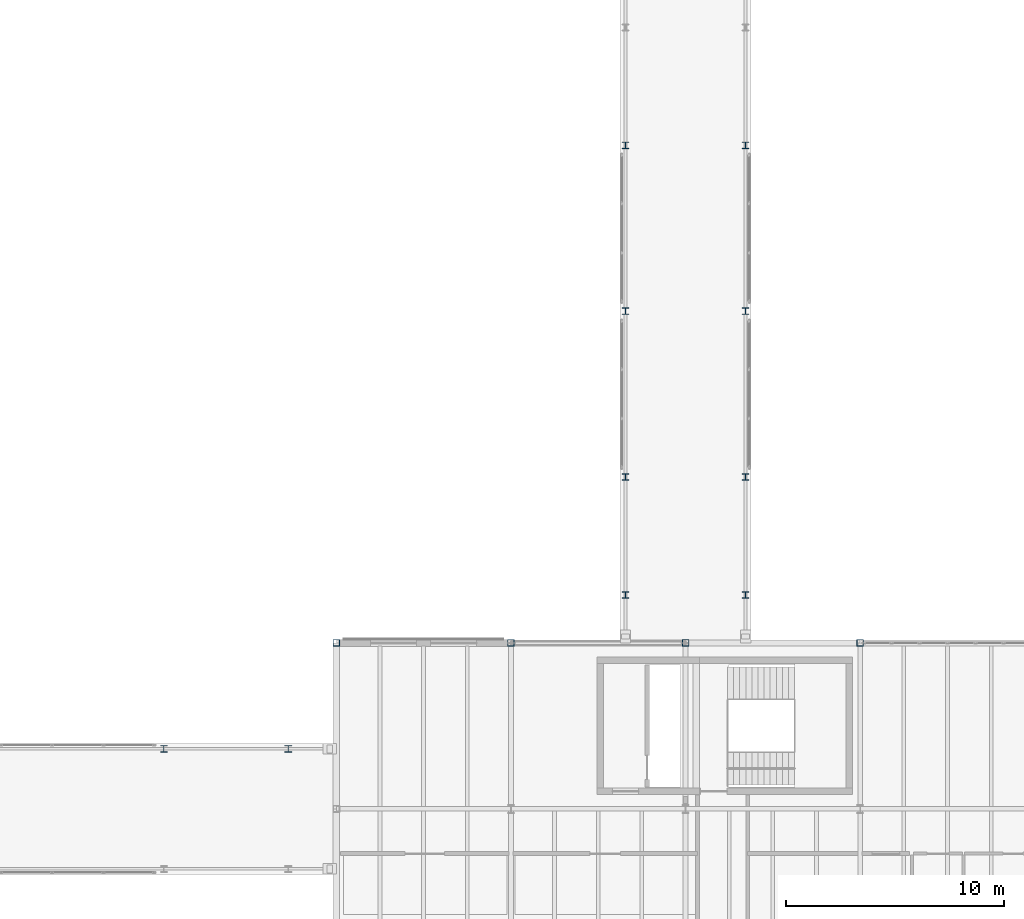
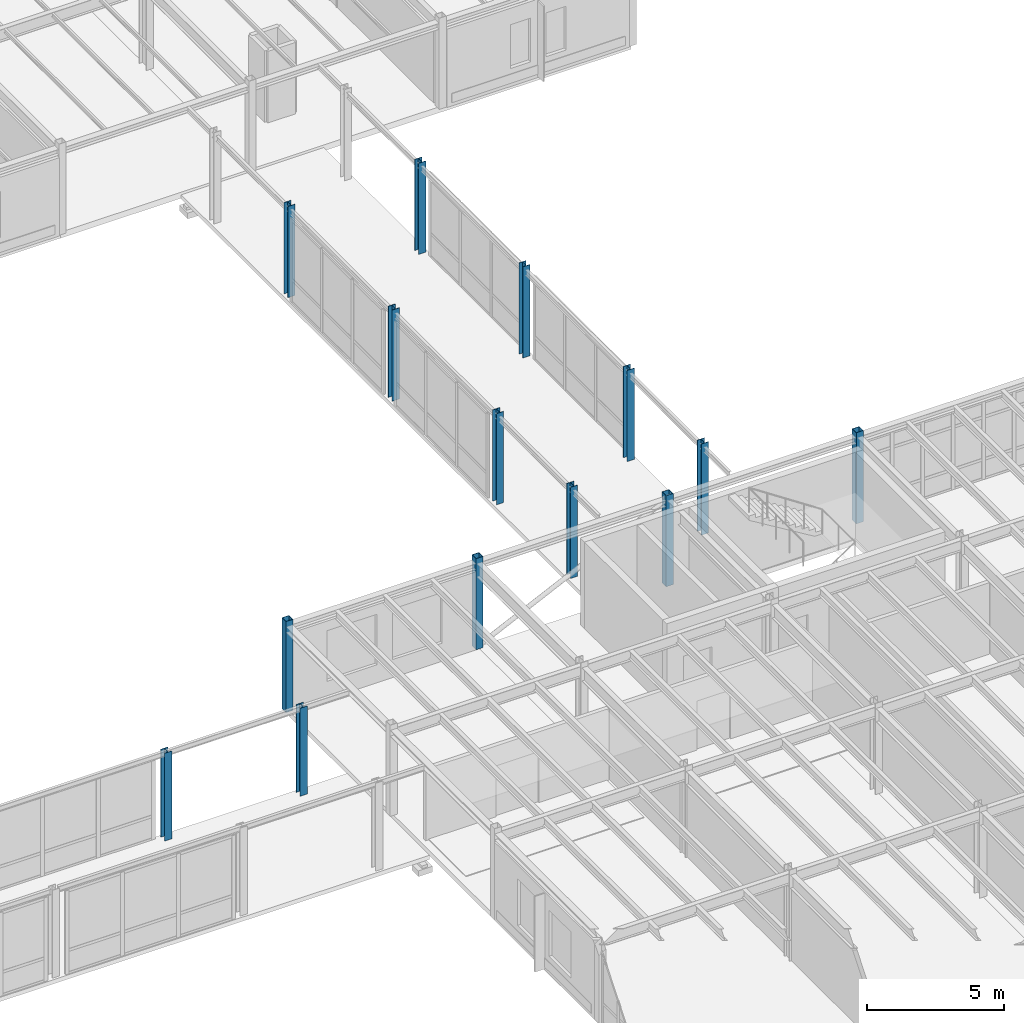
# One storey, part 19 of 165: 14 columns.
"""IFC4 building model written with IfcOpenShell, lengths in metres."""

from ifc_helpers import new_model, si_unit, direction, frame, origin, origin_2d, place, context, subcontext, project, spatial, hollow_rectangle, i_section, extrude, material, material_profile, profile_set, type_object, element, save


model = new_model("IFC4")

# Units and contexts
model_context = context("Model", 3, precision=1e-05, world=origin(), true_north=direction((0.0, 1.0)))
body_context = subcontext(model_context, "Body", "Model", "MODEL_VIEW")
ifc_project = project(units=[si_unit("LENGTHUNIT", "METRE"), si_unit("AREAUNIT", "SQUARE_METRE"), si_unit("VOLUMEUNIT", "CUBIC_METRE"), si_unit("PLANEANGLEUNIT", "RADIAN"), si_unit("MASSUNIT", "GRAM", prefix="KILO")], contexts=[model_context])

# Site, building, storey
site_placement = place(None, origin())
site = spatial("IfcSite", under=ifc_project, at=site_placement, CompositionType="ELEMENT")
building_placement = place(site_placement, origin())
building = spatial("IfcBuilding", under=site, at=building_placement, Name="Montecoro Central Library", CompositionType="ELEMENT")
storey_placement = place(building_placement, frame((0.0, 0.0, 5.10009765625)))
storey = spatial("IfcBuildingStorey", under=building, at=storey_placement, Name="L01", CompositionType="ELEMENT", Elevation=5.10009765625)

# Columns
ifc_material = material(Name="Steel S355", Category="steel")
ifc_material_profile_1 = material_profile(ifc_material, i_section(OverallWidth=0.300048828125, OverallDepth=0.300048828125, WebThickness=0.010986328125, FlangeThickness=0.01904296875, at=origin_2d()), Name="HEB 300")
ifc_profile_set_1 = profile_set([ifc_material_profile_1], Name="Steel S355")
column_type_1 = type_object("IfcColumnType", Name="COL-HEB300", PredefinedType="COLUMN", material=ifc_profile_set_1)
for number, where, z_axis, x_axis, name in (
    (1, (154.25, 45.199951171875, 0.0), (0.0, 0.0, 1.0), (1.0, 0.0, 0.0), "BR-E-L01-COL-1542-452"),
    (2, (159.75, 45.199951171875, 0.0), (0.0, 0.0, 1.0), (1.0, 0.0, 0.0), "BR-E-L01-COL-1597-452"),
    (3, (154.25, 50.60009765625, 0.0), (0.0, 0.0, 1.0), (1.0, 0.0, 0.0), "BR-E-L01-COL-1542-506"),
    (4, (159.75, 50.60009765625, 0.0), (0.0, 0.0, 1.0), (1.0, 0.0, 0.0), "BR-E-L01-COL-1597-506"),
    (5, (154.25, 58.199951171875, 0.0), (0.0, 0.0, 1.0), (1.0, 0.0, 0.0), "BR-E-L01-COL-1542-582"),
    (6, (159.75, 58.199951171875, 0.0), (0.0, 0.0, 1.0), (1.0, 0.0, 0.0), "BR-E-L01-COL-1597-582"),
    (7, (154.25, 65.800048828125, 0.0), (0.0, 0.0, 1.0), (1.0, 0.0, 0.0), "BR-E-L01-COL-1542-658"),
    (8, (159.75, 65.800048828125, 0.0), (0.0, 0.0, 1.0), (1.0, 0.0, 0.0), "BR-E-L01-COL-1597-658"),
):
    element("IfcColumn", number, at=place(storey_placement, frame(where, z_axis=z_axis, x_axis=x_axis)), inside=storey, type_object=column_type_1, Name=name, PredefinedType="COLUMN", context=body_context, shape_type="SweptSolid", body=[
        extrude(i_section(OverallWidth=0.300048828125, OverallDepth=0.300048828125, WebThickness=0.010986328125, FlangeThickness=0.01904296875, at=origin_2d()), origin(), (0.0, 0.0, 1.0), 4.054931640625),
    ])
for number, where, z_axis, x_axis, name in (
    (9, (133.10009765625, 38.14990234375, 0.0), (0.0, 0.0, 1.0), (1.0, 0.0, 0.0), "BR-SE-L01-COL-1331-381"),
    (10, (138.800048828125, 38.14990234375, 0.0), (0.0, 0.0, 1.0), (1.0, 0.0, 0.0), "BR-SE-L01-COL-1388-381"),
):
    element("IfcColumn", number, at=place(storey_placement, frame(where, z_axis=z_axis, x_axis=x_axis)), inside=storey, type_object=column_type_1, Name=name, PredefinedType="COLUMN", context=body_context, shape_type="SweptSolid", body=[
        extrude(i_section(OverallWidth=0.300048828125, OverallDepth=0.300048828125, WebThickness=0.010986328125, FlangeThickness=0.01904296875, at=origin_2d()), origin(), (0.0, 0.0, 1.0), 3.907958984375),
    ])
ifc_material_profile_2 = material_profile(ifc_material, hollow_rectangle(XDim=0.300048828125, YDim=0.300048828125, WallThickness=0.012451171875, at=origin_2d()), Name="SHS 300x300x12.5")
ifc_profile_set_2 = profile_set([ifc_material_profile_2], Name="Steel S355")
column_type_2 = type_object("IfcColumnType", Name="COL-SHS300", PredefinedType="COLUMN", material=ifc_profile_set_2)
for number, where, z_axis, x_axis, name in (
    (11, (141.0, 43.0, 0.0), (0.0, 0.0, 1.0), (1.0, 0.0, 0.0), "V6-L01-COL-18-F"),
    (12, (149.0, 43.0, 0.0), (0.0, 0.0, 1.0), (1.0, 0.0, 0.0), "V6-L01-COL-19-F"),
    (13, (157.0, 43.0, 0.0), (0.0, 0.0, 1.0), (1.0, 0.0, 0.0), "V6-L01-COL-20-F"),
    (14, (165.0, 43.0, 0.0), (0.0, 0.0, 1.0), (1.0, 0.0, 0.0), "V6-L01-COL-21-F"),
):
    element("IfcColumn", number, at=place(storey_placement, frame(where, z_axis=z_axis, x_axis=x_axis)), inside=storey, type_object=column_type_2, Name=name, PredefinedType="COLUMN", context=body_context, shape_type="SweptSolid", body=[
        extrude(hollow_rectangle(XDim=0.300048828125, YDim=0.300048828125, WallThickness=0.012451171875, at=origin_2d()), origin(), (0.0, 0.0, 1.0), 4.054931640625),
    ])

save(model, "model.ifc")
